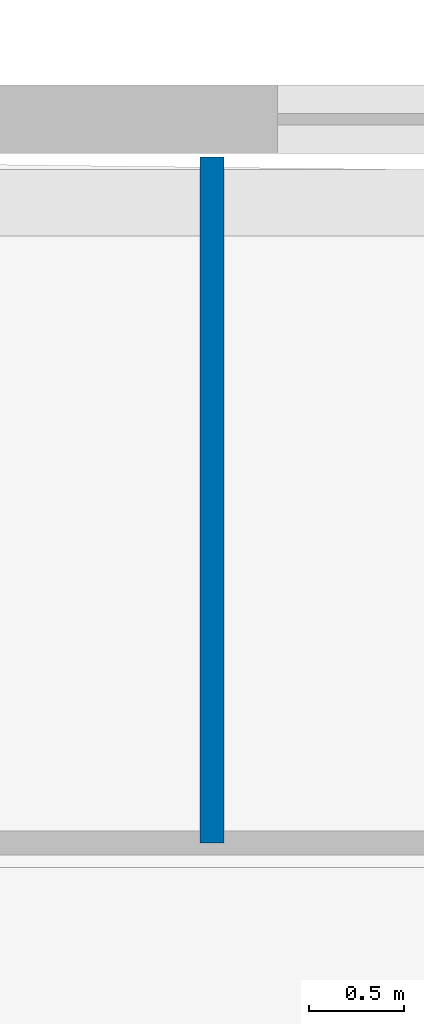
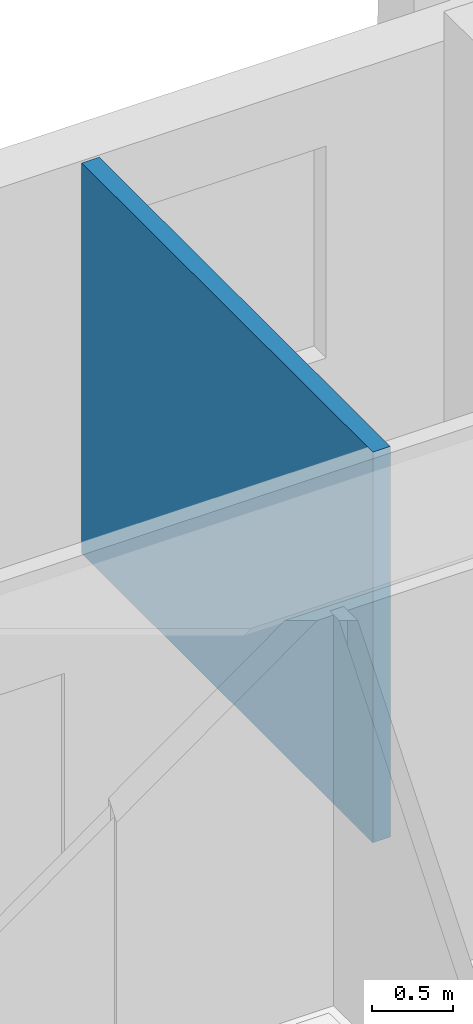
# One storey, part 27 of 48: 1 wall.
"""IFC4 building model written with IfcOpenShell, lengths in metres."""

from ifc_helpers import new_model, si_unit, direction, frame, frame_2d, origin, place, context, subcontext, project, spatial, rectangle, extrude, material, layer, layer_set, type_object, element, save


model = new_model("IFC4")

# Units and contexts
model_context = context("Model", 3, precision=1e-05, world=origin(), true_north=direction((0.0, 1.0)))
body_context = subcontext(model_context, "Body", "Model", "MODEL_VIEW")
ifc_project = project(units=[si_unit("LENGTHUNIT", "METRE"), si_unit("AREAUNIT", "SQUARE_METRE"), si_unit("VOLUMEUNIT", "CUBIC_METRE"), si_unit("PLANEANGLEUNIT", "RADIAN"), si_unit("MASSUNIT", "GRAM", prefix="KILO")], contexts=[model_context])

# Site, building, storey
site_placement = place(None, origin())
site = spatial("IfcSite", under=ifc_project, at=site_placement, CompositionType="ELEMENT")
building_placement = place(site_placement, origin())
building = spatial("IfcBuilding", under=site, at=building_placement, Name="Zavelmont Quarter", CompositionType="ELEMENT")
storey_placement = place(building_placement, frame((0.0, 0.0, 17.60009765625)))
storey = spatial("IfcBuildingStorey", under=building, at=storey_placement, Name="L05", CompositionType="ELEMENT", Elevation=17.60009765625)

# Wall
ifc_material = material(Name="Double gypsum board on acoustic steel stud", Category="steel")
ifc_layer = layer(ifc_material, 0.125)
ifc_layer_set = layer_set([ifc_layer], Name="Double gypsum board on acoustic steel stud")
wall_type = type_object("IfcWallType", Name="IW03", PredefinedType="PARTITIONING", material=ifc_layer_set)
wall_placement = place(storey_placement, frame((124.300048828125, 112.199951171875, 0.0), z_axis=(0.0, 0.0, 1.0), x_axis=(0.0, 1.0, 0.0)))
element("IfcWall", 1, at=wall_placement, inside=storey, type_object=wall_type, Name="L05 Partition IW03", PredefinedType="PARTITIONING", context=body_context, shape_type="SweptSolid", body=[
    extrude(rectangle(XDim=3.60009765625, YDim=0.125, at=frame_2d((1.800048828125, 0.0))), origin(), (0.0, 0.0, 1.0), 2.949951171875),
])

save(model, "model.ifc")
